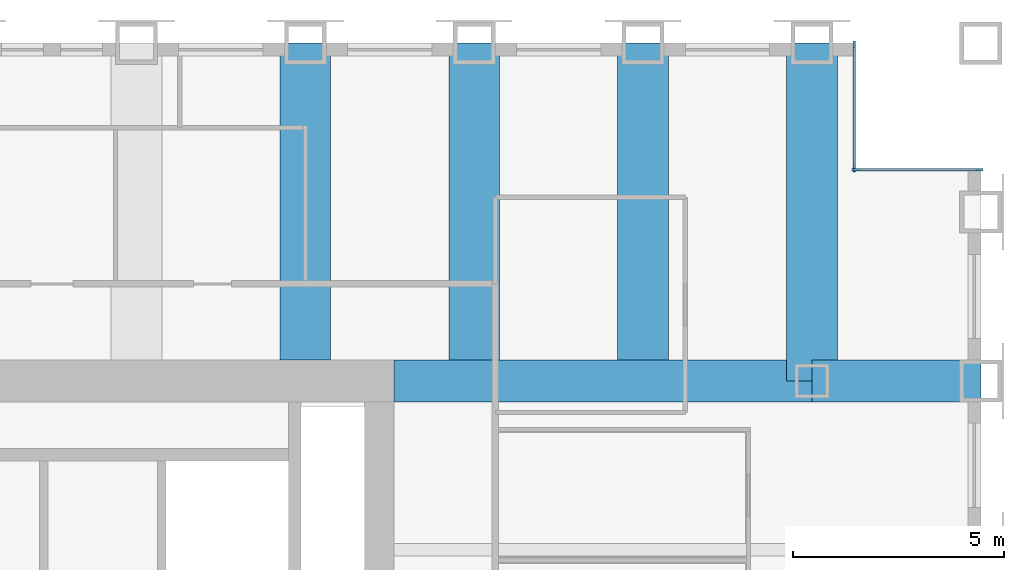
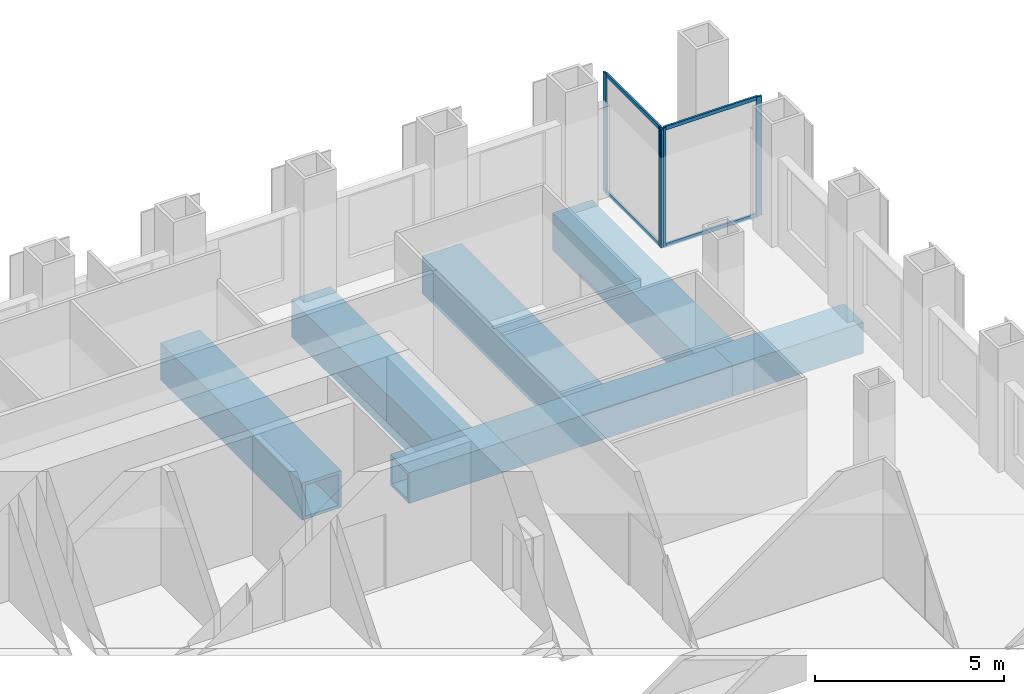
# One storey, part 6 of 11: 8 members, 6 beams, 2 elements without a shape of their own.
"""IFC4 building model written with IfcOpenShell, lengths in metres."""

from ifc_helpers import new_model, si_unit, direction, frame, origin, origin_2d, place, context, subcontext, project, spatial, rectangle, hollow_rectangle, extrude, material, material_profile, profile_set, type_object, element, aggregate, save


model = new_model("IFC4")

# Units and contexts
model_context = context("Model", 3, precision=1e-05, world=origin(), true_north=direction((0.0, 1.0)))
body_context = subcontext(model_context, "Body", "Model", "MODEL_VIEW")
ifc_project = project(units=[si_unit("LENGTHUNIT", "METRE"), si_unit("AREAUNIT", "SQUARE_METRE"), si_unit("VOLUMEUNIT", "CUBIC_METRE"), si_unit("PLANEANGLEUNIT", "RADIAN"), si_unit("MASSUNIT", "GRAM", prefix="KILO")], contexts=[model_context])

# Site, building, storey
site_placement = place(None, origin())
site = spatial("IfcSite", under=ifc_project, at=site_placement, CompositionType="ELEMENT")
building_placement = place(site_placement, origin())
building = spatial("IfcBuilding", under=site, at=building_placement, Name="Rimbunsela Tower", CompositionType="ELEMENT")
storey_placement = place(building_placement, frame((0.0, 0.0, 242.199951171875)))
storey = spatial("IfcBuildingStorey", under=building, at=storey_placement, Name="L58", CompositionType="ELEMENT", Elevation=242.199951171875)

# Beams
ifc_material_1 = material(Name="Steel BJ 55 (fy 410 MPa)", Category="steel")
ifc_material_profile_1 = material_profile(ifc_material_1, hollow_rectangle(XDim=1.0, YDim=1.0, WallThickness=0.10009765625, at=origin_2d()), Name="BOX 1000x1000x100")
ifc_profile_set_1 = profile_set([ifc_material_profile_1], Name="Steel BJ 55 (fy 410 MPa)")
beam_type_1 = type_object("IfcBeamType", Name="Beam BOX 1000x1000x100", PredefinedType="BEAM", material=ifc_profile_set_1)
beam_1_placement = place(storey_placement, frame((36.10009765625, 36.0, -0.64990234375), z_axis=(1.0, 0.0, 0.0), x_axis=(0.0, 1.0, 0.0)))
element("IfcBeam", 1, at=beam_1_placement, inside=storey, type_object=beam_type_1, Name="Beam B3 L58", PredefinedType="BEAM", context=body_context, shape_type="SweptSolid", body=[
    extrude(hollow_rectangle(XDim=1.0, YDim=1.0, WallThickness=0.10009765625, at=origin_2d()), origin(), (0.0, 0.0, 1.0), 9.89990234375),
])
beam_2_placement = place(storey_placement, frame((46.0, 36.0, -0.64990234375), z_axis=(1.0, 0.0, 0.0), x_axis=(0.0, 1.0, 0.0)))
element("IfcBeam", 2, at=beam_2_placement, inside=storey, type_object=beam_type_1, Name="Beam B3 L58", PredefinedType="BEAM", context=body_context, shape_type="SweptSolid", body=[
    extrude(hollow_rectangle(XDim=1.0, YDim=1.0, WallThickness=0.10009765625, at=origin_2d()), origin(), (0.0, 0.0, 1.0), 4.0),
])
ifc_material_2 = material(Name="Steel BJ 55 (fy 410 MPa)", Category="steel")
ifc_material_profile_2 = material_profile(ifc_material_2, hollow_rectangle(XDim=1.199951171875, YDim=1.199951171875, WallThickness=0.10009765625, at=origin_2d()), Name="BOX 1200x1200x100")
ifc_profile_set_2 = profile_set([ifc_material_profile_2], Name="Steel BJ 55 (fy 410 MPa)")
beam_type_2 = type_object("IfcBeamType", Name="Beam BOX 1200x1200x100", PredefinedType="BEAM", material=ifc_profile_set_2)
for number, where, z_axis, x_axis, name in (
    (3, (34.0, 36.5, -0.75), (0.0, 1.0, 0.0), (-1.0, 0.0, 0.0), "Beam B5 L58"),
    (4, (38.0, 36.5, -0.75), (0.0, 1.0, 0.0), (-1.0, 0.0, 0.0), "Beam B5 L58"),
    (5, (42.0, 36.5, -0.75), (0.0, 1.0, 0.0), (-1.0, 0.0, 0.0), "Beam B5 L58"),
):
    element("IfcBeam", number, at=place(storey_placement, frame(where, z_axis=z_axis, x_axis=x_axis)), inside=storey, type_object=beam_type_2, Name=name, PredefinedType="BEAM", context=body_context, shape_type="SweptSolid", body=[
        extrude(hollow_rectangle(XDim=1.199951171875, YDim=1.199951171875, WallThickness=0.10009765625, at=origin_2d()), origin(), (0.0, 0.0, 1.0), 7.5),
    ])
beam_3_placement = place(storey_placement, frame((46.0, 36.0, -0.75), z_axis=(0.0, 1.0, 0.0), x_axis=(-1.0, 0.0, 0.0)))
element("IfcBeam", 6, at=beam_3_placement, inside=storey, type_object=beam_type_2, Name="Beam B5 L58", PredefinedType="BEAM", context=body_context, shape_type="SweptSolid", body=[
    extrude(hollow_rectangle(XDim=1.199951171875, YDim=1.199951171875, WallThickness=0.10009765625, at=origin_2d()), origin(), (0.0, 0.0, 1.0), 8.0),
])

# Curtain wall, members
ifc_material_3 = material(Name="Aluminium curtain wall", Category="aluminium")
curtain_wall_type = type_object("IfcCurtainWallType", Name="Corner glazing", PredefinedType="USERDEFINED", material=ifc_material_3)
curtain_wall_1_placement = place(storey_placement, origin())
curtain_wall_1 = element("IfcCurtainWall", 7, at=curtain_wall_1_placement, inside=storey, type_object=curtain_wall_type, Name="Corner glazing L58", ObjectType="CORNER GLAZING", PredefinedType="USERDEFINED")
ifc_material_4 = material(Name="Aluminium mullion", Category="aluminium")
ifc_material_profile_3 = material_profile(ifc_material_4, rectangle(XDim=0.06005859375, YDim=0.159912109375, at=origin_2d()), Name="Mullion 60x160")
ifc_profile_set_3 = profile_set([ifc_material_profile_3], Name="Aluminium mullion")
member_type_1 = type_object("IfcMemberType", Name="Curtain wall mullion 60x160", PredefinedType="MULLION", material=ifc_profile_set_3)
member_1_placement = place(storey_placement, frame((49.969970703125, 41.0, 0.0), z_axis=(0.0, 0.0, 1.0), x_axis=(0.0, -1.0, 0.0)))
member_1 = element("IfcMember", 8, at=member_1_placement, type_object=member_type_1, Name="CW5 mullion 1", PredefinedType="MULLION", context=body_context, shape_type="SweptSolid", body=[
    extrude(rectangle(XDim=0.06005859375, YDim=0.159912109375, at=origin_2d()), origin(), (0.0, 0.0, 1.0), 3.85009765625),
])
member_2_placement = place(storey_placement, frame((47.030029296875, 41.0, 0.0), z_axis=(0.0, 0.0, 1.0), x_axis=(0.0, -1.0, 0.0)))
member_2 = element("IfcMember", 9, at=member_2_placement, type_object=member_type_1, Name="CW5 mullion 2", PredefinedType="MULLION", context=body_context, shape_type="SweptSolid", body=[
    extrude(rectangle(XDim=0.06005859375, YDim=0.159912109375, at=origin_2d()), origin(), (0.0, 0.0, 1.0), 3.85009765625),
])

curtain_wall_2_placement = place(storey_placement, origin())
curtain_wall_2 = element("IfcCurtainWall", 10, at=curtain_wall_2_placement, inside=storey, type_object=curtain_wall_type, Name="Corner glazing L58", ObjectType="CORNER GLAZING", PredefinedType="USERDEFINED")
member_3_placement = place(storey_placement, frame((47.0, 41.030029296875, 0.0), z_axis=(0.0, 0.0, 1.0), x_axis=(-1.0, 0.0, 0.0)))
member_3 = element("IfcMember", 11, at=member_3_placement, type_object=member_type_1, Name="CW5 mullion 1", PredefinedType="MULLION", context=body_context, shape_type="SweptSolid", body=[
    extrude(rectangle(XDim=0.06005859375, YDim=0.159912109375, at=origin_2d()), origin(), (0.0, 0.0, 1.0), 3.85009765625),
])
member_4_placement = place(storey_placement, frame((47.0, 43.969970703125, 0.0), z_axis=(0.0, 0.0, 1.0), x_axis=(-1.0, 0.0, 0.0)))
member_4 = element("IfcMember", 12, at=member_4_placement, type_object=member_type_1, Name="CW5 mullion 2", PredefinedType="MULLION", context=body_context, shape_type="SweptSolid", body=[
    extrude(rectangle(XDim=0.06005859375, YDim=0.159912109375, at=origin_2d()), origin(), (0.0, 0.0, 1.0), 3.85009765625),
])

# Member
ifc_material_5 = material(Name="Aluminium transom", Category="aluminium")
ifc_material_profile_4 = material_profile(ifc_material_5, rectangle(XDim=0.06005859375, YDim=0.1201171875, at=origin_2d()), Name="Transom 60x120")
ifc_profile_set_4 = profile_set([ifc_material_profile_4], Name="Aluminium transom")
member_type_2 = type_object("IfcMemberType", Name="Curtain wall transom 60x120", PredefinedType="USERDEFINED", material=ifc_profile_set_4)
member_5_placement = place(storey_placement, frame((49.93994140625, 41.0, 0.030029296875), z_axis=(-1.0, 0.0, 0.0), x_axis=(0.0, -1.0, 0.0)))
member_5 = element("IfcMember", 13, at=member_5_placement, type_object=member_type_2, Name="CW5 transom 1.1", ObjectType="TRANSOM", PredefinedType="USERDEFINED", context=body_context, shape_type="SweptSolid", body=[
    extrude(rectangle(XDim=0.06005859375, YDim=0.1201171875, at=origin_2d()), origin(), (0.0, 0.0, 1.0), 2.8798828125),
])

member_6_placement = place(storey_placement, frame((49.93994140625, 41.0, 3.820068359375), z_axis=(-1.0, 0.0, 0.0), x_axis=(0.0, -1.0, 0.0)))
member_6 = element("IfcMember", 14, at=member_6_placement, type_object=member_type_2, Name="CW5 transom 1.2", ObjectType="TRANSOM", PredefinedType="USERDEFINED", context=body_context, shape_type="SweptSolid", body=[
    extrude(rectangle(XDim=0.06005859375, YDim=0.1201171875, at=origin_2d()), origin(), (0.0, 0.0, 1.0), 2.8798828125),
])

aggregate(curtain_wall_1, [member_1, member_2, member_5, member_6])

member_7_placement = place(storey_placement, frame((47.0, 41.06005859375, 0.030029296875), z_axis=(0.0, 1.0, 0.0), x_axis=(-1.0, 0.0, 0.0)))
member_7 = element("IfcMember", 15, at=member_7_placement, type_object=member_type_2, Name="CW5 transom 1.1", ObjectType="TRANSOM", PredefinedType="USERDEFINED", context=body_context, shape_type="SweptSolid", body=[
    extrude(rectangle(XDim=0.06005859375, YDim=0.1201171875, at=origin_2d()), origin(), (0.0, 0.0, 1.0), 2.8798828125),
])

member_8_placement = place(storey_placement, frame((47.0, 41.06005859375, 3.820068359375), z_axis=(0.0, 1.0, 0.0), x_axis=(-1.0, 0.0, 0.0)))
member_8 = element("IfcMember", 16, at=member_8_placement, type_object=member_type_2, Name="CW5 transom 1.2", ObjectType="TRANSOM", PredefinedType="USERDEFINED", context=body_context, shape_type="SweptSolid", body=[
    extrude(rectangle(XDim=0.06005859375, YDim=0.1201171875, at=origin_2d()), origin(), (0.0, 0.0, 1.0), 2.8798828125),
])

aggregate(curtain_wall_2, [member_3, member_4, member_7, member_8])

save(model, "model.ifc")
